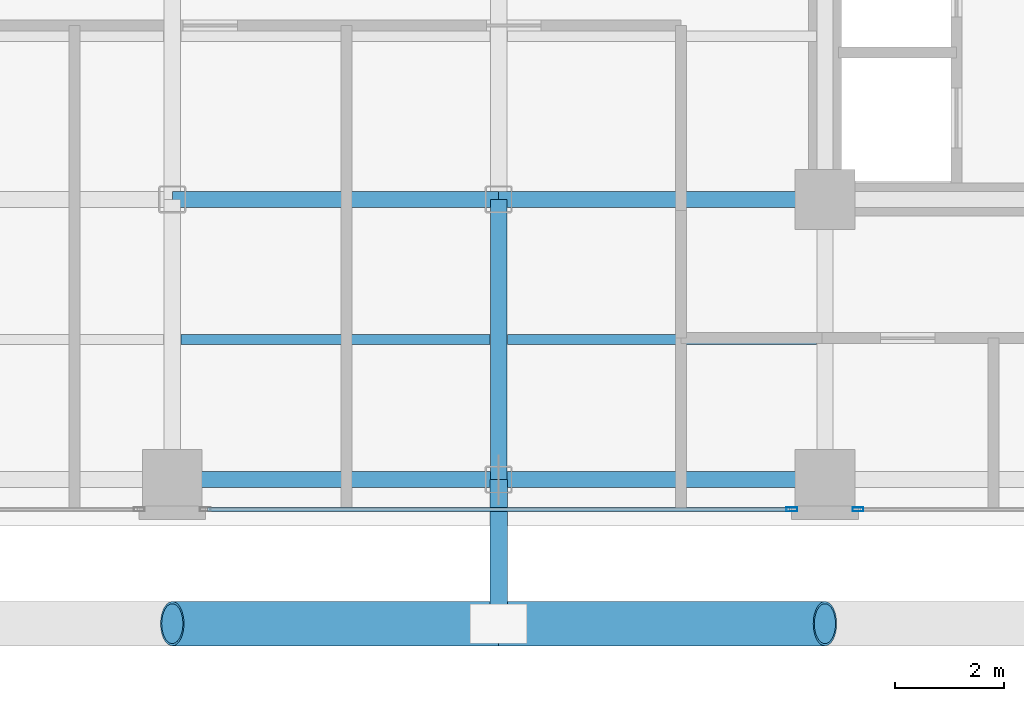
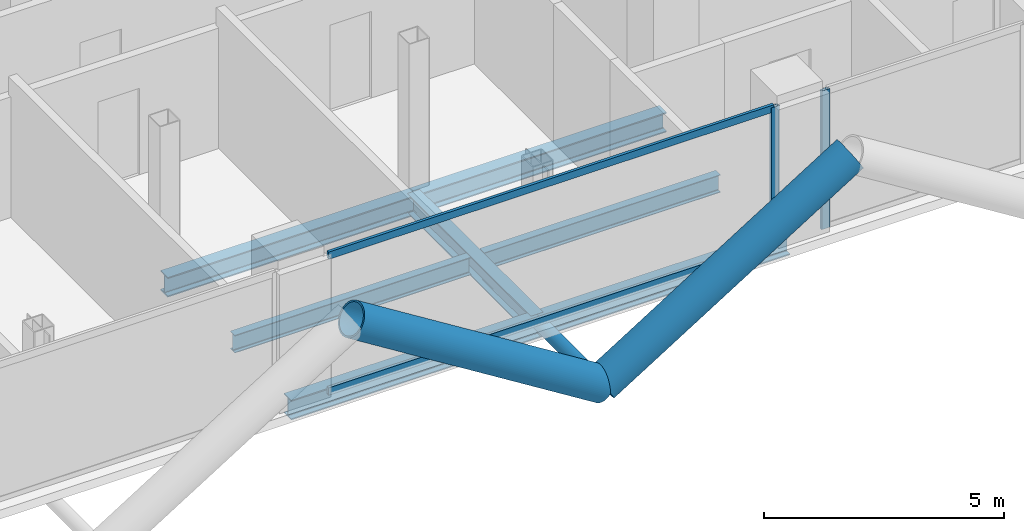
# One storey, part 4 of 28: 7 beams, 7 members, 2 elements without a shape of their own.
"""IFC4 building model written with IfcOpenShell, lengths in metres."""

from ifc_helpers import new_model, si_unit, direction, frame, origin, origin_2d, place, context, subcontext, project, spatial, hollow_rectangle, hollow_circle, i_section, extrude, material, layer, layer_set, material_profile, profile_set, type_object, element, aggregate, save


model = new_model("IFC4")

# Units and contexts
model_context = context("Model", 3, precision=1e-05, world=origin(), true_north=direction((0.0, 1.0)))
body_context = subcontext(model_context, "Body", "Model", "MODEL_VIEW")
ifc_project = project(units=[si_unit("LENGTHUNIT", "METRE"), si_unit("AREAUNIT", "SQUARE_METRE"), si_unit("VOLUMEUNIT", "CUBIC_METRE"), si_unit("PLANEANGLEUNIT", "RADIAN"), si_unit("MASSUNIT", "GRAM", prefix="KILO"), si_unit("THERMODYNAMICTEMPERATUREUNIT", "KELVIN"), si_unit("POWERUNIT", "WATT")], contexts=[model_context])

# Site, building, storey
site_placement = place(None, origin())
site = spatial("IfcSite", under=ifc_project, at=site_placement, CompositionType="ELEMENT")
building_placement = place(site_placement, origin())
building = spatial("IfcBuilding", under=site, at=building_placement, Name="Svarakhadi Broadcast Tower", CompositionType="ELEMENT")
storey_placement = place(building_placement, frame((0.0, 0.0, 119.39990234375)))
storey = spatial("IfcBuildingStorey", under=building, at=storey_placement, Name="L28", CompositionType="ELEMENT", Elevation=119.39990234375)

# Beams
ifc_material_1 = material(Name="Steel S355J2 (IS 2062 E350C)", Category="steel")
ifc_material_profile_1 = material_profile(ifc_material_1, i_section(OverallWidth=0.18994140625, OverallDepth=0.449951171875, WebThickness=0.009521484375, FlangeThickness=0.0146484375, FilletRadius=0.02099609375, at=origin_2d()), Name="NPB 450x190x78")
ifc_profile_set_1 = profile_set([ifc_material_profile_1], Name="Steel S355J2 (IS 2062 E350C)")
beam_type_1 = type_object("IfcBeamType", Name="Beam_NPB450", PredefinedType="BEAM", material=ifc_profile_set_1)
for number, where, z_axis, x_axis, name in (
    (1, (12.159912109375, 3.425048828125, -0.449951171875), (1.0, 0.0, 0.0), (0.0, 1.0, 0.0), "L28 Secondary Composite Beam SB011"),
    (2, (18.159912109375, 3.425048828125, -0.449951171875), (1.0, 0.0, 0.0), (0.0, 1.0, 0.0), "L28 Secondary Composite Beam SB016"),
):
    element("IfcBeam", number, at=place(storey_placement, frame(where, z_axis=z_axis, x_axis=x_axis)), inside=storey, type_object=beam_type_1, Name=name, PredefinedType="BEAM", context=body_context, shape_type="SweptSolid", body=[
        extrude(i_section(OverallWidth=0.18994140625, OverallDepth=0.449951171875, WebThickness=0.009521484375, FlangeThickness=0.0146484375, FilletRadius=0.02099609375, at=origin_2d()), origin(), (0.0, 0.0, 1.0), 5.68017578125),
    ])

# Curtain wall, member
ifc_material_2 = material(Name="Anodised Bronze Aluminium AA 6063-T6", Category="aluminium")
ifc_layer = layer(ifc_material_2, 0.199951171875)
ifc_layer_set = layer_set([ifc_layer], Name="Anodised Bronze Aluminium AA 6063-T6")
curtain_wall_type = type_object("IfcCurtainWallType", Name="CW_Sys_03", PredefinedType="NOTDEFINED", material=ifc_layer_set)
curtain_wall_1_placement = place(storey_placement, origin())
curtain_wall_1 = element("IfcCurtainWall", 3, at=curtain_wall_1_placement, inside=storey, type_object=curtain_wall_type, Name="L28 South Curtain Wall 17 Bay 2", PredefinedType="NOTDEFINED")
ifc_material_profile_2 = material_profile(ifc_material_2, hollow_rectangle(XDim=0.074951171875, YDim=0.199951171875, WallThickness=0.005615234375, at=origin_2d()), Name="ALU MULLION 200x75x6")
ifc_profile_set_2 = profile_set([ifc_material_profile_2], Name="Anodised Bronze Aluminium AA 6063-T6")
member_type_1 = type_object("IfcMemberType", Name="CW_Sys_03_Mul", PredefinedType="MULLION", material=ifc_profile_set_2)
member_1_placement = place(storey_placement, frame((24.607421875, 0.300048828125, 0.0), z_axis=(0.0, 0.0, 1.0), x_axis=(0.0, -1.0, 0.0)))
member_1 = element("IfcMember", 4, at=member_1_placement, type_object=member_type_1, Name="CW-03 mullion 2", PredefinedType="MULLION", context=body_context, shape_type="SweptSolid", body=[
    extrude(hollow_rectangle(XDim=0.074951171875, YDim=0.199951171875, WallThickness=0.005615234375, at=origin_2d()), origin(), (0.0, 0.0, 1.0), 3.525146484375),
])
aggregate(curtain_wall_1, [member_1])

# Curtain wall, members
curtain_wall_2_placement = place(storey_placement, origin())
curtain_wall_2 = element("IfcCurtainWall", 5, at=curtain_wall_2_placement, inside=storey, type_object=curtain_wall_type, Name="L28 South Curtain Wall 17 Bay 3", PredefinedType="NOTDEFINED")
member_2_placement = place(storey_placement, frame((23.392578125, 0.300048828125, 0.0), z_axis=(0.0, 0.0, 1.0), x_axis=(0.0, -1.0, 0.0)))
member_2 = element("IfcMember", 6, at=member_2_placement, type_object=member_type_1, Name="CW-03 mullion 1", PredefinedType="MULLION", context=body_context, shape_type="SweptSolid", body=[
    extrude(hollow_rectangle(XDim=0.074951171875, YDim=0.199951171875, WallThickness=0.005615234375, at=origin_2d()), origin(), (0.0, 0.0, 1.0), 3.525146484375),
])
ifc_material_profile_3 = material_profile(ifc_material_2, hollow_rectangle(XDim=0.070068359375, YDim=0.18505859375, WallThickness=0.0048828125, at=origin_2d()), Name="ALU TRANSOM 185x70x5")
ifc_profile_set_3 = profile_set([ifc_material_profile_3], Name="Anodised Bronze Aluminium AA 6063-T6")
member_type_2 = type_object("IfcMemberType", Name="CW_Sys_03_Trn", PredefinedType="USERDEFINED", material=ifc_profile_set_3)
member_3_placement = place(storey_placement, frame((23.35498046875, 0.300048828125, 0.03515625), z_axis=(-1.0, 0.0, 0.0), x_axis=(0.0, -1.0, 0.0)))
member_3 = element("IfcMember", 7, at=member_3_placement, type_object=member_type_2, Name="CW-03 transom 1.1", ObjectType="TRANSOM", PredefinedType="USERDEFINED", context=body_context, shape_type="SweptSolid", body=[
    extrude(hollow_rectangle(XDim=0.070068359375, YDim=0.18505859375, WallThickness=0.0048828125, at=origin_2d()), origin(), (0.0, 0.0, 1.0), 10.7099609375),
])
member_4_placement = place(storey_placement, frame((23.35498046875, 0.300048828125, 3.489990234375), z_axis=(-1.0, 0.0, 0.0), x_axis=(0.0, -1.0, 0.0)))
member_4 = element("IfcMember", 8, at=member_4_placement, type_object=member_type_2, Name="CW-03 transom 1.2", ObjectType="TRANSOM", PredefinedType="USERDEFINED", context=body_context, shape_type="SweptSolid", body=[
    extrude(hollow_rectangle(XDim=0.070068359375, YDim=0.18505859375, WallThickness=0.0048828125, at=origin_2d()), origin(), (0.0, 0.0, 1.0), 10.7099609375),
])
aggregate(curtain_wall_2, [member_2, member_3, member_4])

# Members
ifc_material_3 = material(Name="Steel S460ML (IS 2062 E450BR)", Category="steel")
ifc_material_profile_4 = material_profile(ifc_material_3, hollow_circle(Radius=0.406494140625, WallThickness=0.0400390625, at=origin_2d()), Name="CHS 813x40")
ifc_profile_set_4 = profile_set([ifc_material_profile_4], Name="Steel S460ML (IS 2062 E450BR)")
member_type_3 = type_object("IfcMemberType", Name="Exo_Brace_CHS813", PredefinedType="BRACE", material=ifc_profile_set_4)
for number, where, z_axis, x_axis, name in (
    (9, (18.0, -1.800048828125, -0.386962890625), (-0.847998304005, 0.0, 0.529998940003), (0.0, -1.0, 0.0), "L28 Exposed Bronze Exoskeleton Diagonal S02"),
    (10, (18.0, -1.800048828125, -0.386962890625), (0.847998304005, 0.0, 0.529998940003), (0.0, 1.0, 0.0), "L28 Exposed Bronze Exoskeleton Diagonal S03"),
):
    element("IfcMember", number, at=place(storey_placement, frame(where, z_axis=z_axis, x_axis=x_axis)), inside=storey, type_object=member_type_3, Name=name, PredefinedType="BRACE", context=body_context, shape_type="SweptSolid", body=[
        extrude(hollow_circle(Radius=0.406494140625, WallThickness=0.0400390625, at=origin_2d()), origin(), (0.0, 0.0, 1.0), 7.075439453125),
    ])
ifc_material_profile_5 = material_profile(ifc_material_3, hollow_circle(Radius=0.161865234375, WallThickness=0.01611328125, at=origin_2d()), Name="CHS 323.9x16")
ifc_profile_set_5 = profile_set([ifc_material_profile_5], Name="Steel S460ML (IS 2062 E450BR)")
member_type_4 = type_object("IfcMemberType", Name="Exo_Radial_Strut_Z2", PredefinedType="STRUT", material=ifc_profile_set_5)
member_5_placement = place(storey_placement, frame((18.0, -1.800048828125, -0.386962890625), z_axis=(0.0, 1.0, 0.0), x_axis=(-1.0, 0.0, 0.0)))
element("IfcMember", 11, at=member_5_placement, inside=storey, type_object=member_type_4, Name="L28 Exoskeleton Radial Tie Strut S02", PredefinedType="STRUT", context=body_context, shape_type="SweptSolid", body=[
    extrude(hollow_circle(Radius=0.161865234375, WallThickness=0.01611328125, at=origin_2d()), origin(), (0.0, 0.0, 1.0), 2.650146484375),
])

# Beams
ifc_material_profile_6 = material_profile(ifc_material_1, i_section(OverallWidth=0.300048828125, OverallDepth=0.5, WebThickness=0.014404296875, FlangeThickness=0.028076171875, FilletRadius=0.027099609375, at=origin_2d()), Name="WPB 500x300x187")
ifc_profile_set_6 = profile_set([ifc_material_profile_6], Name="Steel S355J2 (IS 2062 E350C)")
beam_type_2 = type_object("IfcBeamType", Name="Girder_WPB500", PredefinedType="USERDEFINED", material=ifc_profile_set_6)
for number, where, z_axis, x_axis, name in (
    (12, (12.0, 0.85009765625, -0.474853515625), (1.0, 0.0, 0.0), (0.0, 1.0, 0.0), "L28 Primary E-W Girder G005"),
    (13, (18.0, 0.85009765625, -0.474853515625), (1.0, 0.0, 0.0), (0.0, 1.0, 0.0), "L28 Primary E-W Girder G006"),
    (14, (12.0, 6.0, -0.474853515625), (1.0, 0.0, 0.0), (0.0, 1.0, 0.0), "L28 Primary E-W Girder G012"),
    (15, (18.0, 6.0, -0.474853515625), (1.0, 0.0, 0.0), (0.0, 1.0, 0.0), "L28 Primary E-W Girder G013"),
):
    element("IfcBeam", number, at=place(storey_placement, frame(where, z_axis=z_axis, x_axis=x_axis)), inside=storey, type_object=beam_type_2, Name=name, ObjectType="GIRDER", PredefinedType="USERDEFINED", context=body_context, shape_type="SweptSolid", body=[
        extrude(i_section(OverallWidth=0.300048828125, OverallDepth=0.5, WebThickness=0.014404296875, FlangeThickness=0.028076171875, FilletRadius=0.027099609375, at=origin_2d()), origin(), (0.0, 0.0, 1.0), 6.0),
    ])
beam_placement = place(storey_placement, frame((18.0, 0.85009765625, -0.474853515625), z_axis=(0.0, 1.0, 0.0), x_axis=(-1.0, 0.0, 0.0)))
element("IfcBeam", 16, at=beam_placement, inside=storey, type_object=beam_type_2, Name="L28 Primary N-S Girder G056", ObjectType="GIRDER", PredefinedType="USERDEFINED", context=body_context, shape_type="SweptSolid", body=[
    extrude(i_section(OverallWidth=0.300048828125, OverallDepth=0.5, WebThickness=0.014404296875, FlangeThickness=0.028076171875, FilletRadius=0.027099609375, at=origin_2d()), origin(), (0.0, 0.0, 1.0), 5.14990234375),
])

save(model, "model.ifc")
